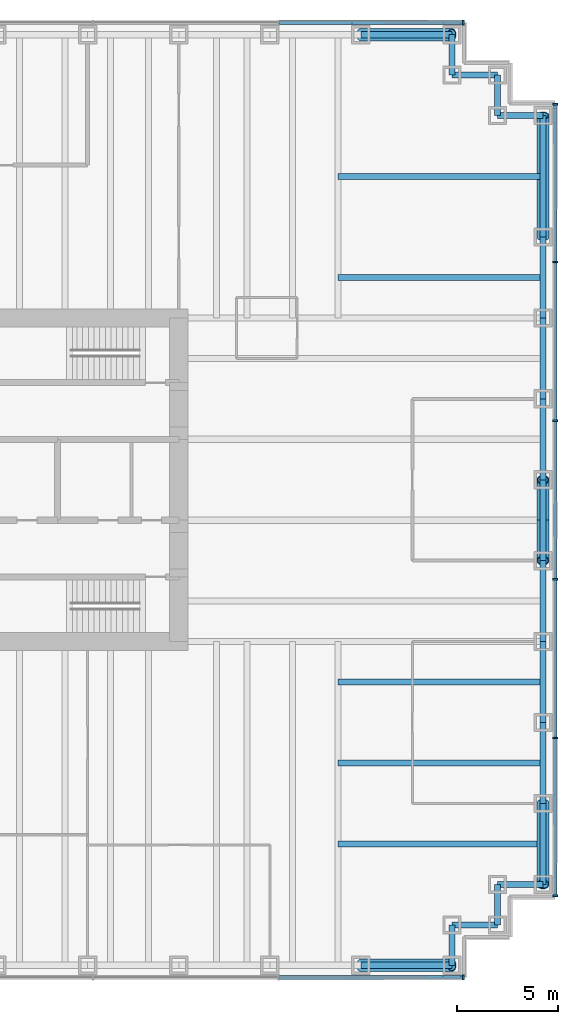
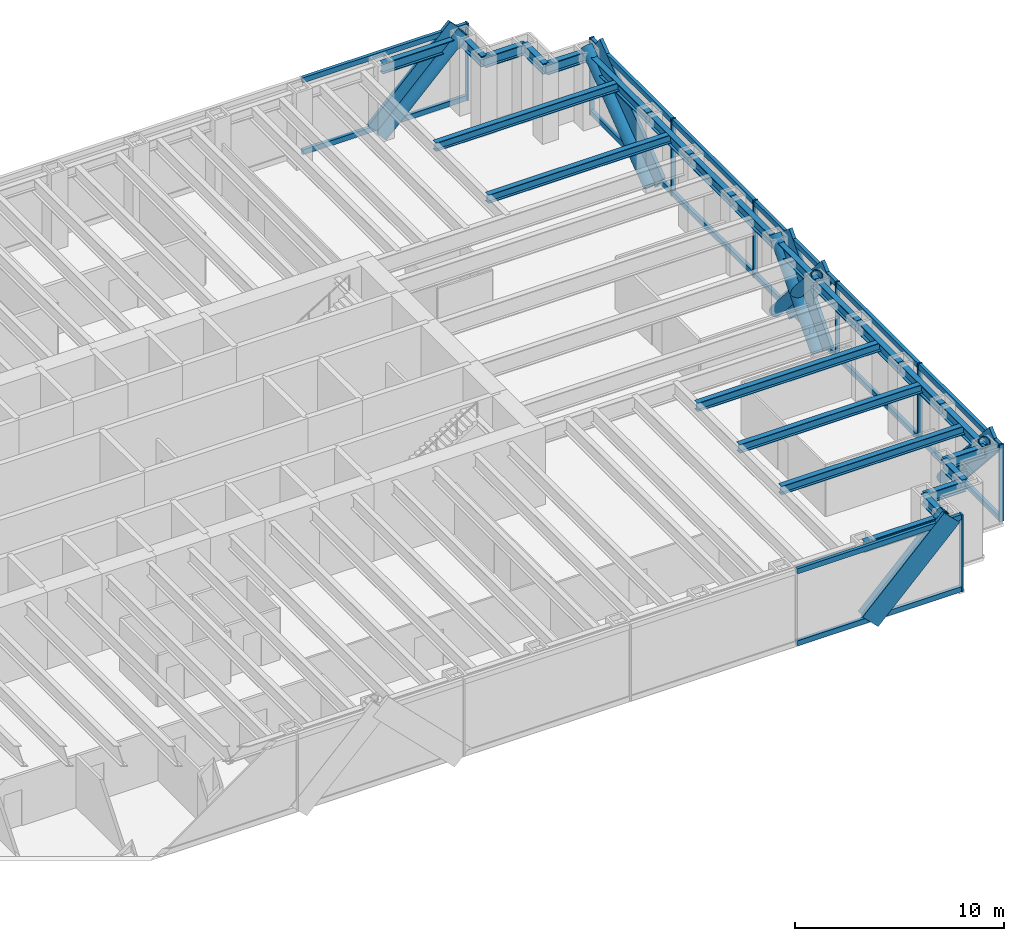
# One storey, part 7 of 13: 34 members, 24 beams, 3 elements without a shape of their own.
"""IFC4 building model written with IfcOpenShell, lengths in metres."""

import ifcopenshell
import ifcopenshell.guid

model = None  # the IFC model being written
_history = None  # IfcOwnerHistory: only IFC2X3 demands one
_inside = {}  # id of a spatial element -> (the spatial element, [elements in it])
_under = {}  # id of a project, library or spatial element -> (it, [spatial elements below it])
_declared = {}  # id of a project -> (the project, [libraries it declares])
_typed = {}  # id of a type object -> (the type object, [elements of that type])
_made_of = {}  # id of a material, layer set ... -> (it, [elements and type objects made of it])


def new_model(schema):
    """Start an empty IFC model of exactly this schema.

    Asked for "IFC4X3", IfcOpenShell would pick the latest addendum, in which some entities
    have other attributes; the version numbers below select the first issue.
    IFC2X3 requires an IfcOwnerHistory on every rooted entity: one is made here for all.
    """
    global model, _history
    if schema == "IFC4X3":
        model = ifcopenshell.file(schema_version=(4, 3, 0, 0))
    else:
        model = ifcopenshell.file(schema=schema)
    _inside.clear()
    _under.clear()
    _declared.clear()
    _typed.clear()
    _made_of.clear()
    _history = None
    if model.schema == "IFC2X3":
        org = make("IfcOrganization", Name="unknown")
        user = make(
            "IfcPersonAndOrganization",
            ThePerson=make("IfcPerson", FamilyName="unknown"),
            TheOrganization=org,
        )
        app = make(
            "IfcApplication",
            ApplicationDeveloper=org,
            Version="unknown",
            ApplicationFullName="unknown",
            ApplicationIdentifier="unknown",
        )
        _history = make(
            "IfcOwnerHistory",
            OwningUser=user,
            OwningApplication=app,
            ChangeAction="ADDED",
            CreationDate=0,
        )
    return model


def make(cls, **values):
    """One entity of the class cls with the attributes given. An attribute that is None is left unset."""
    return model.create_entity(
        cls, **{name: value for name, value in values.items() if value is not None}
    )


def rooted(cls, **values):
    """An entity with a GlobalId (a new one), such as an element, a storey or a relation."""
    return make(cls, GlobalId=ifcopenshell.guid.new(), OwnerHistory=_history, **values)


def si_unit(unit_type, name, prefix=None):
    """IfcSIUnit, for example si_unit("LENGTHUNIT", "METRE", prefix="MILLI")."""
    return make("IfcSIUnit", UnitType=unit_type, Prefix=prefix, Name=name)


def assignment(units):
    """IfcUnitAssignment: the units of a project."""
    return None if units is None else make("IfcUnitAssignment", Units=units)


def point(xyz):
    """IfcCartesianPoint."""
    return None if xyz is None else make("IfcCartesianPoint", Coordinates=xyz)


def direction(xyz):
    """IfcDirection."""
    return None if xyz is None else make("IfcDirection", DirectionRatios=xyz)


def frame(location, z_axis=None, x_axis=None):
    """IfcAxis2Placement3D, a coordinate frame: its origin and axes. An axis left out is left unset."""
    return make(
        "IfcAxis2Placement3D",
        Location=point(location),
        Axis=direction(z_axis),
        RefDirection=direction(x_axis),
    )


def frame_2d(location, x_axis=None):
    """IfcAxis2Placement2D, a coordinate frame in the plane: its origin and x axis."""
    return make(
        "IfcAxis2Placement2D", Location=point(location), RefDirection=direction(x_axis)
    )


def origin():
    """The frame at (0, 0, 0) with its axes left unset."""
    return frame((0.0, 0.0, 0.0))


def origin_2d():
    """The frame at (0, 0) in the plane with its x axis left unset."""
    return frame_2d((0.0, 0.0))


def place(relative_to, where):
    """IfcLocalPlacement: puts the frame where relative to a parent placement (None: the world)."""
    return make(
        "IfcLocalPlacement", PlacementRelTo=relative_to, RelativePlacement=where
    )


def context(
    kind, dimensions, precision=None, world=None, true_north=None, identifier=None
):
    """IfcGeometricRepresentationContext, for example the 3D "Model" context."""
    return make(
        "IfcGeometricRepresentationContext",
        ContextIdentifier=identifier,
        ContextType=kind,
        CoordinateSpaceDimension=dimensions,
        Precision=precision,
        WorldCoordinateSystem=world,
        TrueNorth=true_north,
    )


def subcontext(parent, identifier, kind, view, scale=None):
    """IfcGeometricRepresentationSubContext, for example "Body" below "Model"."""
    return make(
        "IfcGeometricRepresentationSubContext",
        ContextIdentifier=identifier,
        ContextType=kind,
        ParentContext=parent,
        TargetScale=scale,
        TargetView=view,
    )


def project(units=None, contexts=None):
    """IfcProject with its units and contexts."""
    return rooted(
        "IfcProject",
        Name="project",
        RepresentationContexts=contexts,
        UnitsInContext=assignment(units),
    )


def spatial(cls, under=None, at=None, **own):
    """A site, building, storey or space (cls), placed at a placement, below another one or the project."""
    s = rooted(cls, ObjectPlacement=at, **own)
    if under is not None:
        _under.setdefault(under.id(), (under, []))[1].append(s)
    return s


def profile(cls, at=None, kind="AREA", **sizes):
    """A parametric profile (cls). Its sizes go by their IFC names, for example OverallWidth=200.0."""
    return make(cls, ProfileType=kind, Position=at, **sizes)


def rectangle(**sizes):
    """IfcRectangleProfileDef."""
    return profile("IfcRectangleProfileDef", **sizes)


def hollow_circle(**sizes):
    """IfcCircleHollowProfileDef."""
    return profile("IfcCircleHollowProfileDef", **sizes)


def i_section(**sizes):
    """IfcIShapeProfileDef."""
    return profile("IfcIShapeProfileDef", **sizes)


def extrude(swept, where, along, depth):
    """IfcExtrudedAreaSolid: the profile swept, set in the frame where, extruded along a direction by depth."""
    return make(
        "IfcExtrudedAreaSolid",
        SweptArea=swept,
        Position=where,
        ExtrudedDirection=direction(along),
        Depth=depth,
    )


def shape(context_of_items, identifier, shape_type, items):
    """IfcShapeRepresentation: the items that make up one representation, for example the "Body"."""
    return make(
        "IfcShapeRepresentation",
        ContextOfItems=context_of_items,
        RepresentationIdentifier=identifier,
        RepresentationType=shape_type,
        Items=items,
    )


def material(Name=None, Category=None):
    """IfcMaterial."""
    return make("IfcMaterial", Name=Name, Category=Category)


def material_profile(
    of_material, cross_section, Name=None, Category=None, Priority=None
):
    """IfcMaterialProfile: a cross section and its material."""
    return make(
        "IfcMaterialProfile",
        Name=Name,
        Material=of_material,
        Profile=cross_section,
        Priority=Priority,
        Category=Category,
    )


def profile_set(profiles, Name=None, composite=None):
    """IfcMaterialProfileSet."""
    return make(
        "IfcMaterialProfileSet",
        Name=Name,
        MaterialProfiles=profiles,
        CompositeProfile=composite,
    )


def made_of(thing, what):
    """Note that an element or type object is made of a material, layer set ...; save() writes the relation."""
    if what is not None:
        _made_of.setdefault(what.id(), (what, []))[1].append(thing)
    return thing


def type_object(cls, material=None, **own):
    """A type object (cls), such as IfcWallType, which elements share."""
    return made_of(rooted(cls, **own), material)


def element(
    cls,
    number,
    at=None,
    inside=None,
    cuts=None,
    type_object=None,
    material=None,
    context=None,
    identifier="Body",
    shape_type=None,
    held_by="IfcProductDefinitionShape",
    body=None,
    shapes=None,
    **own,
):
    """One element of the class cls, such as IfcWall. Its Tag is "e" and its number.

    at: its placement. inside: the storey or other place that contains it. cuts: it is an
    opening in that element (IfcRelVoidsElement). A single representation is given by context,
    identifier, shape_type and body (its items); several are given by shapes. held_by: the class
    of the entity that holds the representations. save() writes the other relations.
    """
    e = rooted(cls, Tag="e%d" % number, ObjectPlacement=at, **own)
    if body is not None:
        shapes = [shape(context, identifier, shape_type, body)]
    if shapes is not None:
        e.Representation = make(held_by, Representations=shapes)
    if inside is not None:
        _inside.setdefault(inside.id(), (inside, []))[1].append(e)
    if cuts is not None:
        rooted(
            "IfcRelVoidsElement", RelatingBuildingElement=cuts, RelatedOpeningElement=e
        )
    if type_object is not None:
        _typed.setdefault(type_object.id(), (type_object, []))[1].append(e)
    return made_of(e, material)


def aggregate(whole, parts):
    """IfcRelAggregates: a whole, such as a stair, and the parts it consists of."""
    return rooted("IfcRelAggregates", RelatingObject=whole, RelatedObjects=parts)


def save(model, path):
    """Write the relations noted so far, then the file.

    IfcRelAggregates (storeys below a building ...), IfcRelContainedInSpatialStructure (elements
    in a storey), IfcRelDefinesByType, IfcRelAssociatesMaterial and IfcRelDeclares: one each for
    every whole, place, type object, material and project.
    """
    for whole, parts in _under.values():
        aggregate(whole, parts)
    for where, things in _inside.values():
        rooted(
            "IfcRelContainedInSpatialStructure",
            RelatedElements=things,
            RelatingStructure=where,
        )
    for kind, things in _typed.values():
        rooted("IfcRelDefinesByType", RelatedObjects=things, RelatingType=kind)
    for what, things in _made_of.values():
        rooted("IfcRelAssociatesMaterial", RelatedObjects=things, RelatingMaterial=what)
    for by, libraries in _declared.values():
        rooted("IfcRelDeclares", RelatingContext=by, RelatedDefinitions=libraries)
    model.write(path)


model = new_model("IFC4")

# Units and contexts
model_context = context("Model", 3, precision=1e-05, world=origin(), true_north=direction((0.0, 1.0)))
body_context = subcontext(model_context, "Body", "Model", "MODEL_VIEW")
ifc_project = project(units=[si_unit("LENGTHUNIT", "METRE"), si_unit("AREAUNIT", "SQUARE_METRE"), si_unit("VOLUMEUNIT", "CUBIC_METRE"), si_unit("PLANEANGLEUNIT", "RADIAN"), si_unit("MASSUNIT", "GRAM", prefix="KILO")], contexts=[model_context])

# Site, building, storey
site_placement = place(None, origin())
site = spatial("IfcSite", under=ifc_project, at=site_placement, CompositionType="ELEMENT")
building_placement = place(site_placement, origin())
building = spatial("IfcBuilding", under=site, at=building_placement, Name="Rheinbord Bourse Tower", CompositionType="ELEMENT")
storey_placement = place(building_placement, frame((0.0, 0.0, 59.0)))
storey = spatial("IfcBuildingStorey", under=building, at=storey_placement, Name="L12", CompositionType="ELEMENT", Elevation=59.0)

# Curtain wall, member
ifc_material_1 = material(Name="Dark glass and black aluminium", Category="aluminium")
curtain_wall_type = type_object("IfcCurtainWallType", Name="CW1 DARK GLASS CURTAIN WALL", PredefinedType="USERDEFINED", material=ifc_material_1)
curtain_wall_1_placement = place(storey_placement, origin())
curtain_wall_1 = element("IfcCurtainWall", 1, at=curtain_wall_1_placement, inside=storey, type_object=curtain_wall_type, Name="Curtain wall CW1 S L12", ObjectType="UNITISED CURTAIN WALL", PredefinedType="USERDEFINED")
ifc_material_2 = material(Name="Black anodised aluminium", Category="aluminium")
ifc_material_profile_1 = material_profile(ifc_material_2, rectangle(XDim=0.179931640625, YDim=1.2099609375, at=origin_2d()), Name="CW1 DIAGONAL MULLION 1210x180")
ifc_profile_set_1 = profile_set([ifc_material_profile_1], Name="Black anodised aluminium")
member_type_1 = type_object("IfcMemberType", Name="CW1 BLACK DIAGONAL MULLION", PredefinedType="USERDEFINED", material=ifc_profile_set_1)
member_1_placement = place(storey_placement, frame((63.0, -0.60009765625, 0.0), z_axis=(0.707106781187, 0.0, 0.707106781187), x_axis=(0.0, 1.0, 0.0)))
member_1 = element("IfcMember", 2, at=member_1_placement, type_object=member_type_1, Name="CW1 diagonal mullion a", ObjectType="DIAGONAL MULLION", PredefinedType="USERDEFINED", context=body_context, shape_type="SweptSolid", body=[
    extrude(rectangle(XDim=0.179931640625, YDim=1.2099609375, at=origin_2d()), origin(), (0.0, 0.0, 1.0), 6.364013671875),
])

# Curtain wall, members
curtain_wall_2_placement = place(storey_placement, origin())
curtain_wall_2 = element("IfcCurtainWall", 3, at=curtain_wall_2_placement, inside=storey, type_object=curtain_wall_type, Name="Curtain wall CW1 E L12", ObjectType="UNITISED CURTAIN WALL", PredefinedType="USERDEFINED")
member_2_placement = place(storey_placement, frame((72.60009765625, 24.0, 0.0), z_axis=(0.0, -0.66436383883, 0.747409318684), x_axis=(1.0, 0.0, 0.0)))
member_2 = element("IfcMember", 4, at=member_2_placement, type_object=member_type_1, Name="CW1 diagonal mullion a", ObjectType="DIAGONAL MULLION", PredefinedType="USERDEFINED", context=body_context, shape_type="SweptSolid", body=[
    extrude(rectangle(XDim=0.179931640625, YDim=1.2099609375, at=origin_2d()), origin(), (0.0, 0.0, 1.0), 6.020751953125),
])
member_3_placement = place(storey_placement, frame((72.60009765625, 20.0, 0.0), z_axis=(0.0, 0.66436383883, 0.747409318684), x_axis=(-1.0, 0.0, 0.0)))
member_3 = element("IfcMember", 5, at=member_3_placement, type_object=member_type_1, Name="CW1 diagonal mullion b", ObjectType="DIAGONAL MULLION", PredefinedType="USERDEFINED", context=body_context, shape_type="SweptSolid", body=[
    extrude(rectangle(XDim=0.179931640625, YDim=1.2099609375, at=origin_2d()), origin(), (0.0, 0.0, 1.0), 6.020751953125),
])
member_4_placement = place(storey_placement, frame((72.60009765625, 8.0, 0.0), z_axis=(0.0, -0.66436383883, 0.747409318684), x_axis=(1.0, 0.0, 0.0)))
member_4 = element("IfcMember", 6, at=member_4_placement, type_object=member_type_1, Name="CW1 diagonal mullion c", ObjectType="DIAGONAL MULLION", PredefinedType="USERDEFINED", context=body_context, shape_type="SweptSolid", body=[
    extrude(rectangle(XDim=0.179931640625, YDim=1.2099609375, at=origin_2d()), origin(), (0.0, 0.0, 1.0), 6.020751953125),
])
member_5_placement = place(storey_placement, frame((72.60009765625, 36.0, 0.0), z_axis=(0.0, 0.8, 0.6), x_axis=(-1.0, 0.0, 0.0)))
member_5 = element("IfcMember", 7, at=member_5_placement, type_object=member_type_1, Name="CW1 diagonal mullion d", ObjectType="DIAGONAL MULLION", PredefinedType="USERDEFINED", context=body_context, shape_type="SweptSolid", body=[
    extrude(rectangle(XDim=0.179931640625, YDim=1.2099609375, at=origin_2d()), origin(), (0.0, 0.0, 1.0), 7.5),
])

# Curtain wall, member
curtain_wall_3_placement = place(storey_placement, origin())
curtain_wall_3 = element("IfcCurtainWall", 8, at=curtain_wall_3_placement, inside=storey, type_object=curtain_wall_type, Name="Curtain wall CW1 N L12", ObjectType="UNITISED CURTAIN WALL", PredefinedType="USERDEFINED")
member_6_placement = place(storey_placement, frame((63.0, 46.60009765625, 0.0), z_axis=(0.707106781187, 0.0, 0.707106781187), x_axis=(0.0, 1.0, 0.0)))
member_6 = element("IfcMember", 9, at=member_6_placement, type_object=member_type_1, Name="CW1 diagonal mullion a", ObjectType="DIAGONAL MULLION", PredefinedType="USERDEFINED", context=body_context, shape_type="SweptSolid", body=[
    extrude(rectangle(XDim=0.179931640625, YDim=1.2099609375, at=origin_2d()), origin(), (0.0, 0.0, 1.0), 6.364013671875),
])

# Member
ifc_material_3 = material(Name="Black anodised aluminium", Category="aluminium")
ifc_material_profile_2 = material_profile(ifc_material_3, rectangle(XDim=0.25, YDim=0.080078125, at=origin_2d()), Name="CW1 MULLION 80x250")
ifc_profile_set_2 = profile_set([ifc_material_profile_2], Name="Black anodised aluminium")
member_type_2 = type_object("IfcMemberType", Name="CW1 BLACK MULLION", PredefinedType="MULLION", material=ifc_profile_set_2)
member_7_placement = place(storey_placement, frame((68.06005859375, -0.60009765625, 0.0), z_axis=(0.0, 0.0, 1.0), x_axis=(0.0, 1.0, 0.0)))
member_7 = element("IfcMember", 10, at=member_7_placement, type_object=member_type_2, Name="CW1 mullion 8", PredefinedType="MULLION", context=body_context, shape_type="SweptSolid", body=[
    extrude(rectangle(XDim=0.25, YDim=0.080078125, at=origin_2d()), origin(), (0.0, 0.0, 1.0), 4.5),
])

member_8_placement = place(storey_placement, frame((72.60009765625, 3.43994140625, 0.0), z_axis=(0.0, 0.0, 1.0), x_axis=(-1.0, 0.0, 0.0)))
member_8 = element("IfcMember", 11, at=member_8_placement, type_object=member_type_2, Name="CW1 mullion 1", PredefinedType="MULLION", context=body_context, shape_type="SweptSolid", body=[
    extrude(rectangle(XDim=0.25, YDim=0.080078125, at=origin_2d()), origin(), (0.0, 0.0, 1.0), 4.5),
])

member_9_placement = place(storey_placement, frame((72.60009765625, 11.239990234375, 0.0), z_axis=(0.0, 0.0, 1.0), x_axis=(-1.0, 0.0, 0.0)))
member_9 = element("IfcMember", 12, at=member_9_placement, type_object=member_type_2, Name="CW1 mullion 2", PredefinedType="MULLION", context=body_context, shape_type="SweptSolid", body=[
    extrude(rectangle(XDim=0.25, YDim=0.080078125, at=origin_2d()), origin(), (0.0, 0.0, 1.0), 4.5),
])

member_10_placement = place(storey_placement, frame((72.60009765625, 19.080078125, 0.0), z_axis=(0.0, 0.0, 1.0), x_axis=(-1.0, 0.0, 0.0)))
member_10 = element("IfcMember", 13, at=member_10_placement, type_object=member_type_2, Name="CW1 mullion 3", PredefinedType="MULLION", context=body_context, shape_type="SweptSolid", body=[
    extrude(rectangle(XDim=0.25, YDim=0.080078125, at=origin_2d()), origin(), (0.0, 0.0, 1.0), 4.5),
])

member_11_placement = place(storey_placement, frame((72.60009765625, 26.919921875, 0.0), z_axis=(0.0, 0.0, 1.0), x_axis=(-1.0, 0.0, 0.0)))
member_11 = element("IfcMember", 14, at=member_11_placement, type_object=member_type_2, Name="CW1 mullion 4", PredefinedType="MULLION", context=body_context, shape_type="SweptSolid", body=[
    extrude(rectangle(XDim=0.25, YDim=0.080078125, at=origin_2d()), origin(), (0.0, 0.0, 1.0), 4.5),
])

member_12_placement = place(storey_placement, frame((72.60009765625, 34.760009765625, 0.0), z_axis=(0.0, 0.0, 1.0), x_axis=(-1.0, 0.0, 0.0)))
member_12 = element("IfcMember", 15, at=member_12_placement, type_object=member_type_2, Name="CW1 mullion 5", PredefinedType="MULLION", context=body_context, shape_type="SweptSolid", body=[
    extrude(rectangle(XDim=0.25, YDim=0.080078125, at=origin_2d()), origin(), (0.0, 0.0, 1.0), 4.5),
])

member_13_placement = place(storey_placement, frame((72.60009765625, 42.56005859375, 0.0), z_axis=(0.0, 0.0, 1.0), x_axis=(-1.0, 0.0, 0.0)))
member_13 = element("IfcMember", 16, at=member_13_placement, type_object=member_type_2, Name="CW1 mullion 6", PredefinedType="MULLION", context=body_context, shape_type="SweptSolid", body=[
    extrude(rectangle(XDim=0.25, YDim=0.080078125, at=origin_2d()), origin(), (0.0, 0.0, 1.0), 4.5),
])

member_14_placement = place(storey_placement, frame((68.06005859375, 46.60009765625, 0.0), z_axis=(0.0, 0.0, 1.0), x_axis=(0.0, -1.0, 0.0)))
member_14 = element("IfcMember", 17, at=member_14_placement, type_object=member_type_2, Name="CW1 mullion 1", PredefinedType="MULLION", context=body_context, shape_type="SweptSolid", body=[
    extrude(rectangle(XDim=0.25, YDim=0.080078125, at=origin_2d()), origin(), (0.0, 0.0, 1.0), 4.5),
])

ifc_material_4 = material(Name="Black anodised aluminium", Category="aluminium")
ifc_material_profile_3 = material_profile(ifc_material_4, rectangle(XDim=0.179931640625, YDim=0.300048828125, at=origin_2d()), Name="CW1 TRANSOM 300x180")
ifc_profile_set_3 = profile_set([ifc_material_profile_3], Name="Black anodised aluminium")
member_type_3 = type_object("IfcMemberType", Name="CW1 BLACK TRANSOM", PredefinedType="USERDEFINED", material=ifc_profile_set_3)
member_15_placement = place(storey_placement, frame((58.968505859375, -0.60009765625, 0.14990234375), z_axis=(1.0, 0.0, 0.0), x_axis=(0.0, 1.0, 0.0)))
member_15 = element("IfcMember", 18, at=member_15_placement, type_object=member_type_3, Name="CW1 transom 7.1", ObjectType="TRANSOM", PredefinedType="USERDEFINED", context=body_context, shape_type="SweptSolid", body=[
    extrude(rectangle(XDim=0.179931640625, YDim=0.300048828125, at=origin_2d()), origin(), (0.0, 0.0, 1.0), 9.051513671875),
])

member_16_placement = place(storey_placement, frame((58.968505859375, -0.60009765625, 4.35009765625), z_axis=(1.0, 0.0, 0.0), x_axis=(0.0, 1.0, 0.0)))
member_16 = element("IfcMember", 19, at=member_16_placement, type_object=member_type_3, Name="CW1 transom 7.2", ObjectType="TRANSOM", PredefinedType="USERDEFINED", context=body_context, shape_type="SweptSolid", body=[
    extrude(rectangle(XDim=0.179931640625, YDim=0.300048828125, at=origin_2d()), origin(), (0.0, 0.0, 1.0), 9.051513671875),
])

aggregate(curtain_wall_1, [member_7, member_15, member_16, member_1])

member_17_placement = place(storey_placement, frame((72.60009765625, 3.47998046875, 0.14990234375), z_axis=(0.0, 1.0, 0.0), x_axis=(-1.0, 0.0, 0.0)))
member_17 = element("IfcMember", 20, at=member_17_placement, type_object=member_type_3, Name="CW1 transom 1.1", ObjectType="TRANSOM", PredefinedType="USERDEFINED", context=body_context, shape_type="SweptSolid", body=[
    extrude(rectangle(XDim=0.179931640625, YDim=0.300048828125, at=origin_2d()), origin(), (0.0, 0.0, 1.0), 7.719970703125),
])

member_18_placement = place(storey_placement, frame((72.60009765625, 3.47998046875, 4.35009765625), z_axis=(0.0, 1.0, 0.0), x_axis=(-1.0, 0.0, 0.0)))
member_18 = element("IfcMember", 21, at=member_18_placement, type_object=member_type_3, Name="CW1 transom 1.2", ObjectType="TRANSOM", PredefinedType="USERDEFINED", context=body_context, shape_type="SweptSolid", body=[
    extrude(rectangle(XDim=0.179931640625, YDim=0.300048828125, at=origin_2d()), origin(), (0.0, 0.0, 1.0), 7.719970703125),
])

member_19_placement = place(storey_placement, frame((72.60009765625, 11.280029296875, 0.14990234375), z_axis=(0.0, 1.0, 0.0), x_axis=(-1.0, 0.0, 0.0)))
member_19 = element("IfcMember", 22, at=member_19_placement, type_object=member_type_3, Name="CW1 transom 2.1", ObjectType="TRANSOM", PredefinedType="USERDEFINED", context=body_context, shape_type="SweptSolid", body=[
    extrude(rectangle(XDim=0.179931640625, YDim=0.300048828125, at=origin_2d()), origin(), (0.0, 0.0, 1.0), 7.760009765625),
])

member_20_placement = place(storey_placement, frame((72.60009765625, 11.280029296875, 4.35009765625), z_axis=(0.0, 1.0, 0.0), x_axis=(-1.0, 0.0, 0.0)))
member_20 = element("IfcMember", 23, at=member_20_placement, type_object=member_type_3, Name="CW1 transom 2.2", ObjectType="TRANSOM", PredefinedType="USERDEFINED", context=body_context, shape_type="SweptSolid", body=[
    extrude(rectangle(XDim=0.179931640625, YDim=0.300048828125, at=origin_2d()), origin(), (0.0, 0.0, 1.0), 7.760009765625),
])

member_21_placement = place(storey_placement, frame((72.60009765625, 19.1201171875, 0.14990234375), z_axis=(0.0, 1.0, 0.0), x_axis=(-1.0, 0.0, 0.0)))
member_21 = element("IfcMember", 24, at=member_21_placement, type_object=member_type_3, Name="CW1 transom 3.1", ObjectType="TRANSOM", PredefinedType="USERDEFINED", context=body_context, shape_type="SweptSolid", body=[
    extrude(rectangle(XDim=0.179931640625, YDim=0.300048828125, at=origin_2d()), origin(), (0.0, 0.0, 1.0), 7.759765625),
])

member_22_placement = place(storey_placement, frame((72.60009765625, 19.1201171875, 4.35009765625), z_axis=(0.0, 1.0, 0.0), x_axis=(-1.0, 0.0, 0.0)))
member_22 = element("IfcMember", 25, at=member_22_placement, type_object=member_type_3, Name="CW1 transom 3.2", ObjectType="TRANSOM", PredefinedType="USERDEFINED", context=body_context, shape_type="SweptSolid", body=[
    extrude(rectangle(XDim=0.179931640625, YDim=0.300048828125, at=origin_2d()), origin(), (0.0, 0.0, 1.0), 7.759765625),
])

member_23_placement = place(storey_placement, frame((72.60009765625, 26.9599609375, 0.14990234375), z_axis=(0.0, 1.0, 0.0), x_axis=(-1.0, 0.0, 0.0)))
member_23 = element("IfcMember", 26, at=member_23_placement, type_object=member_type_3, Name="CW1 transom 4.1", ObjectType="TRANSOM", PredefinedType="USERDEFINED", context=body_context, shape_type="SweptSolid", body=[
    extrude(rectangle(XDim=0.179931640625, YDim=0.300048828125, at=origin_2d()), origin(), (0.0, 0.0, 1.0), 7.760009765625),
])

member_24_placement = place(storey_placement, frame((72.60009765625, 26.9599609375, 4.35009765625), z_axis=(0.0, 1.0, 0.0), x_axis=(-1.0, 0.0, 0.0)))
member_24 = element("IfcMember", 27, at=member_24_placement, type_object=member_type_3, Name="CW1 transom 4.2", ObjectType="TRANSOM", PredefinedType="USERDEFINED", context=body_context, shape_type="SweptSolid", body=[
    extrude(rectangle(XDim=0.179931640625, YDim=0.300048828125, at=origin_2d()), origin(), (0.0, 0.0, 1.0), 7.760009765625),
])

member_25_placement = place(storey_placement, frame((72.60009765625, 34.800048828125, 0.14990234375), z_axis=(0.0, 1.0, 0.0), x_axis=(-1.0, 0.0, 0.0)))
member_25 = element("IfcMember", 28, at=member_25_placement, type_object=member_type_3, Name="CW1 transom 5.1", ObjectType="TRANSOM", PredefinedType="USERDEFINED", context=body_context, shape_type="SweptSolid", body=[
    extrude(rectangle(XDim=0.179931640625, YDim=0.300048828125, at=origin_2d()), origin(), (0.0, 0.0, 1.0), 7.719970703125),
])

member_26_placement = place(storey_placement, frame((72.60009765625, 34.800048828125, 4.35009765625), z_axis=(0.0, 1.0, 0.0), x_axis=(-1.0, 0.0, 0.0)))
member_26 = element("IfcMember", 29, at=member_26_placement, type_object=member_type_3, Name="CW1 transom 5.2", ObjectType="TRANSOM", PredefinedType="USERDEFINED", context=body_context, shape_type="SweptSolid", body=[
    extrude(rectangle(XDim=0.179931640625, YDim=0.300048828125, at=origin_2d()), origin(), (0.0, 0.0, 1.0), 7.719970703125),
])

aggregate(curtain_wall_2, [member_8, member_9, member_10, member_11, member_12, member_13, member_17, member_18, member_19, member_20, member_21, member_22, member_23, member_24, member_25, member_26, member_2, member_3, member_4, member_5])

member_27_placement = place(storey_placement, frame((68.02001953125, 46.60009765625, 0.14990234375), z_axis=(-1.0, 0.0, 0.0), x_axis=(0.0, -1.0, 0.0)))
member_27 = element("IfcMember", 30, at=member_27_placement, type_object=member_type_3, Name="CW1 transom 1.1", ObjectType="TRANSOM", PredefinedType="USERDEFINED", context=body_context, shape_type="SweptSolid", body=[
    extrude(rectangle(XDim=0.179931640625, YDim=0.300048828125, at=origin_2d()), origin(), (0.0, 0.0, 1.0), 9.051513671875),
])

member_28_placement = place(storey_placement, frame((68.02001953125, 46.60009765625, 4.35009765625), z_axis=(-1.0, 0.0, 0.0), x_axis=(0.0, -1.0, 0.0)))
member_28 = element("IfcMember", 31, at=member_28_placement, type_object=member_type_3, Name="CW1 transom 1.2", ObjectType="TRANSOM", PredefinedType="USERDEFINED", context=body_context, shape_type="SweptSolid", body=[
    extrude(rectangle(XDim=0.179931640625, YDim=0.300048828125, at=origin_2d()), origin(), (0.0, 0.0, 1.0), 9.051513671875),
])

aggregate(curtain_wall_3, [member_14, member_27, member_28, member_6])

# Members
ifc_material_5 = material(Name="Steel S460", Category="steel")
ifc_material_profile_4 = material_profile(ifc_material_5, hollow_circle(Radius=0.304931640625, WallThickness=0.050048828125, at=origin_2d()), Name="CHS 610x50")
ifc_profile_set_4 = profile_set([ifc_material_profile_4], Name="Steel S460")
member_type_4 = type_object("IfcMemberType", Name="MEGABRACE CHS 610x50", PredefinedType="BRACE", material=ifc_profile_set_4)
member_29_placement = place(storey_placement, frame((63.0, 0.0, 0.0), z_axis=(0.707106781187, 0.0, 0.707106781187), x_axis=(0.0, 1.0, 0.0)))
element("IfcMember", 32, at=member_29_placement, inside=storey, type_object=member_type_4, Name="Megabrace S face line a L12", PredefinedType="BRACE", context=body_context, shape_type="SweptSolid", body=[
    extrude(hollow_circle(Radius=0.304931640625, WallThickness=0.050048828125, at=origin_2d()), origin(), (0.0, 0.0, 1.0), 6.364013671875),
])
for number, where, z_axis, x_axis, name in (
    (33, (72.0, 24.0, 0.0), (0.0, -0.66436383883, 0.747409318684), (1.0, 0.0, 0.0), "Megabrace E face line a L12"),
    (34, (72.0, 20.0, 0.0), (0.0, 0.66436383883, 0.747409318684), (-1.0, 0.0, 0.0), "Megabrace E face line b L12"),
    (35, (72.0, 8.0, 0.0), (0.0, -0.66436383883, 0.747409318684), (1.0, 0.0, 0.0), "Megabrace E face line c L12"),
):
    element("IfcMember", number, at=place(storey_placement, frame(where, z_axis=z_axis, x_axis=x_axis)), inside=storey, type_object=member_type_4, Name=name, PredefinedType="BRACE", context=body_context, shape_type="SweptSolid", body=[
        extrude(hollow_circle(Radius=0.304931640625, WallThickness=0.050048828125, at=origin_2d()), origin(), (0.0, 0.0, 1.0), 6.020751953125),
    ])
member_30_placement = place(storey_placement, frame((72.0, 36.0, 0.0), z_axis=(0.0, 0.8, 0.6), x_axis=(-1.0, 0.0, 0.0)))
element("IfcMember", 36, at=member_30_placement, inside=storey, type_object=member_type_4, Name="Megabrace E face line d L12", PredefinedType="BRACE", context=body_context, shape_type="SweptSolid", body=[
    extrude(hollow_circle(Radius=0.304931640625, WallThickness=0.050048828125, at=origin_2d()), origin(), (0.0, 0.0, 1.0), 7.5),
])
member_31_placement = place(storey_placement, frame((63.0, 46.0, 0.0), z_axis=(0.707106781187, 0.0, 0.707106781187), x_axis=(0.0, 1.0, 0.0)))
element("IfcMember", 37, at=member_31_placement, inside=storey, type_object=member_type_4, Name="Megabrace N face line a L12", PredefinedType="BRACE", context=body_context, shape_type="SweptSolid", body=[
    extrude(hollow_circle(Radius=0.304931640625, WallThickness=0.050048828125, at=origin_2d()), origin(), (0.0, 0.0, 1.0), 6.364013671875),
])

# Beams
ifc_material_6 = material(Name="Steel S460", Category="steel")
ifc_material_profile_5 = material_profile(ifc_material_6, i_section(OverallWidth=0.304931640625, OverallDepth=0.6201171875, WebThickness=0.02099609375, FlangeThickness=0.0400390625, at=origin_2d()), Name="HEM 600")
ifc_profile_set_5 = profile_set([ifc_material_profile_5], Name="Steel S460")
beam_type_1 = type_object("IfcBeamType", Name="SPANDREL HEM 600", PredefinedType="SPANDREL", material=ifc_profile_set_5)
beam_1_placement = place(storey_placement, frame((63.0, 0.0, 4.010009765625), z_axis=(1.0, 0.0, 0.0), x_axis=(0.0, 1.0, 0.0)))
element("IfcBeam", 38, at=beam_1_placement, inside=storey, type_object=beam_type_1, Name="Spandrel S-63-SE-E under L13", PredefinedType="SPANDREL", context=body_context, shape_type="SweptSolid", body=[
    extrude(i_section(OverallWidth=0.304931640625, OverallDepth=0.6201171875, WebThickness=0.02099609375, FlangeThickness=0.0400390625, at=origin_2d()), origin(), (0.0, 0.0, 1.0), 4.5),
])
beam_2_placement = place(storey_placement, frame((67.5, 0.0, 4.010009765625), z_axis=(0.0, 1.0, 0.0), x_axis=(-1.0, 0.0, 0.0)))
element("IfcBeam", 39, at=beam_2_placement, inside=storey, type_object=beam_type_1, Name="Spandrel SE-E-SE-D under L13", PredefinedType="SPANDREL", context=body_context, shape_type="SweptSolid", body=[
    extrude(i_section(OverallWidth=0.304931640625, OverallDepth=0.6201171875, WebThickness=0.02099609375, FlangeThickness=0.0400390625, at=origin_2d()), origin(), (0.0, 0.0, 1.0), 2.0),
])
beam_3_placement = place(storey_placement, frame((67.5, 2.0, 4.010009765625), z_axis=(1.0, 0.0, 0.0), x_axis=(0.0, 1.0, 0.0)))
element("IfcBeam", 40, at=beam_3_placement, inside=storey, type_object=beam_type_1, Name="Spandrel SE-D-SE-C under L13", PredefinedType="SPANDREL", context=body_context, shape_type="SweptSolid", body=[
    extrude(i_section(OverallWidth=0.304931640625, OverallDepth=0.6201171875, WebThickness=0.02099609375, FlangeThickness=0.0400390625, at=origin_2d()), origin(), (0.0, 0.0, 1.0), 2.25),
])
beam_4_placement = place(storey_placement, frame((69.75, 2.0, 4.010009765625), z_axis=(0.0, 1.0, 0.0), x_axis=(-1.0, 0.0, 0.0)))
element("IfcBeam", 41, at=beam_4_placement, inside=storey, type_object=beam_type_1, Name="Spandrel SE-C-SE-B under L13", PredefinedType="SPANDREL", context=body_context, shape_type="SweptSolid", body=[
    extrude(i_section(OverallWidth=0.304931640625, OverallDepth=0.6201171875, WebThickness=0.02099609375, FlangeThickness=0.0400390625, at=origin_2d()), origin(), (0.0, 0.0, 1.0), 2.0),
])
beam_5_placement = place(storey_placement, frame((69.75, 4.0, 4.010009765625), z_axis=(1.0, 0.0, 0.0), x_axis=(0.0, 1.0, 0.0)))
element("IfcBeam", 42, at=beam_5_placement, inside=storey, type_object=beam_type_1, Name="Spandrel SE-B-SE-A under L13", PredefinedType="SPANDREL", context=body_context, shape_type="SweptSolid", body=[
    extrude(i_section(OverallWidth=0.304931640625, OverallDepth=0.6201171875, WebThickness=0.02099609375, FlangeThickness=0.0400390625, at=origin_2d()), origin(), (0.0, 0.0, 1.0), 2.25),
])
for number, where, z_axis, x_axis, name in (
    (43, (72.0, 4.0, 4.010009765625), (0.0, 1.0, 0.0), (-1.0, 0.0, 0.0), "Spandrel SE-A-E-8 under L13"),
    (44, (72.0, 8.0, 4.010009765625), (0.0, 1.0, 0.0), (-1.0, 0.0, 0.0), "Spandrel E-8-E-12 under L13"),
    (45, (72.0, 12.0, 4.010009765625), (0.0, 1.0, 0.0), (-1.0, 0.0, 0.0), "Spandrel E-12-E-16 under L13"),
    (46, (72.0, 16.0, 4.010009765625), (0.0, 1.0, 0.0), (-1.0, 0.0, 0.0), "Spandrel E-16-E-20 under L13"),
    (47, (72.0, 20.0, 4.010009765625), (0.0, 1.0, 0.0), (-1.0, 0.0, 0.0), "Spandrel E-20-E-24 under L13"),
    (48, (72.0, 24.0, 4.010009765625), (0.0, 1.0, 0.0), (-1.0, 0.0, 0.0), "Spandrel E-24-E-28 under L13"),
    (49, (72.0, 28.0, 4.010009765625), (0.0, 1.0, 0.0), (-1.0, 0.0, 0.0), "Spandrel E-28-E-32 under L13"),
    (50, (72.0, 32.0, 4.010009765625), (0.0, 1.0, 0.0), (-1.0, 0.0, 0.0), "Spandrel E-32-E-36 under L13"),
):
    element("IfcBeam", number, at=place(storey_placement, frame(where, z_axis=z_axis, x_axis=x_axis)), inside=storey, type_object=beam_type_1, Name=name, PredefinedType="SPANDREL", context=body_context, shape_type="SweptSolid", body=[
        extrude(i_section(OverallWidth=0.304931640625, OverallDepth=0.6201171875, WebThickness=0.02099609375, FlangeThickness=0.0400390625, at=origin_2d()), origin(), (0.0, 0.0, 1.0), 4.0),
    ])
beam_6_placement = place(storey_placement, frame((72.0, 36.0, 4.010009765625), z_axis=(0.0, 1.0, 0.0), x_axis=(-1.0, 0.0, 0.0)))
element("IfcBeam", 51, at=beam_6_placement, inside=storey, type_object=beam_type_1, Name="Spandrel E-36-NE-A under L13", PredefinedType="SPANDREL", context=body_context, shape_type="SweptSolid", body=[
    extrude(i_section(OverallWidth=0.304931640625, OverallDepth=0.6201171875, WebThickness=0.02099609375, FlangeThickness=0.0400390625, at=origin_2d()), origin(), (0.0, 0.0, 1.0), 6.0),
])
beam_7_placement = place(storey_placement, frame((72.0, 42.0, 4.010009765625), z_axis=(-1.0, 0.0, 0.0), x_axis=(0.0, -1.0, 0.0)))
element("IfcBeam", 52, at=beam_7_placement, inside=storey, type_object=beam_type_1, Name="Spandrel NE-A-NE-B under L13", PredefinedType="SPANDREL", context=body_context, shape_type="SweptSolid", body=[
    extrude(i_section(OverallWidth=0.304931640625, OverallDepth=0.6201171875, WebThickness=0.02099609375, FlangeThickness=0.0400390625, at=origin_2d()), origin(), (0.0, 0.0, 1.0), 2.25),
])
beam_8_placement = place(storey_placement, frame((69.75, 42.0, 4.010009765625), z_axis=(0.0, 1.0, 0.0), x_axis=(-1.0, 0.0, 0.0)))
element("IfcBeam", 53, at=beam_8_placement, inside=storey, type_object=beam_type_1, Name="Spandrel NE-B-NE-C under L13", PredefinedType="SPANDREL", context=body_context, shape_type="SweptSolid", body=[
    extrude(i_section(OverallWidth=0.304931640625, OverallDepth=0.6201171875, WebThickness=0.02099609375, FlangeThickness=0.0400390625, at=origin_2d()), origin(), (0.0, 0.0, 1.0), 2.0),
])
beam_9_placement = place(storey_placement, frame((69.75, 44.0, 4.010009765625), z_axis=(-1.0, 0.0, 0.0), x_axis=(0.0, -1.0, 0.0)))
element("IfcBeam", 54, at=beam_9_placement, inside=storey, type_object=beam_type_1, Name="Spandrel NE-C-NE-D under L13", PredefinedType="SPANDREL", context=body_context, shape_type="SweptSolid", body=[
    extrude(i_section(OverallWidth=0.304931640625, OverallDepth=0.6201171875, WebThickness=0.02099609375, FlangeThickness=0.0400390625, at=origin_2d()), origin(), (0.0, 0.0, 1.0), 2.25),
])
beam_10_placement = place(storey_placement, frame((67.5, 44.0, 4.010009765625), z_axis=(0.0, 1.0, 0.0), x_axis=(-1.0, 0.0, 0.0)))
element("IfcBeam", 55, at=beam_10_placement, inside=storey, type_object=beam_type_1, Name="Spandrel NE-D-NE-E under L13", PredefinedType="SPANDREL", context=body_context, shape_type="SweptSolid", body=[
    extrude(i_section(OverallWidth=0.304931640625, OverallDepth=0.6201171875, WebThickness=0.02099609375, FlangeThickness=0.0400390625, at=origin_2d()), origin(), (0.0, 0.0, 1.0), 2.0),
])
beam_11_placement = place(storey_placement, frame((67.5, 46.0, 4.010009765625), z_axis=(-1.0, 0.0, 0.0), x_axis=(0.0, -1.0, 0.0)))
element("IfcBeam", 56, at=beam_11_placement, inside=storey, type_object=beam_type_1, Name="Spandrel NE-E-N-63 under L13", PredefinedType="SPANDREL", context=body_context, shape_type="SweptSolid", body=[
    extrude(i_section(OverallWidth=0.304931640625, OverallDepth=0.6201171875, WebThickness=0.02099609375, FlangeThickness=0.0400390625, at=origin_2d()), origin(), (0.0, 0.0, 1.0), 4.5),
])
ifc_material_7 = material(Name="Steel S460", Category="steel")
ifc_material_profile_6 = material_profile(ifc_material_7, i_section(OverallWidth=0.300048828125, OverallDepth=0.5, WebThickness=0.014404296875, FlangeThickness=0.028076171875, at=origin_2d()), Name="HEB 500")
ifc_profile_set_6 = profile_set([ifc_material_profile_6], Name="Steel S460")
beam_type_2 = type_object("IfcBeamType", Name="TIE BEAM HEB 500", PredefinedType="JOIST", material=ifc_profile_set_6)
for number, where, z_axis, x_axis, name in (
    (57, (61.875, 6.0, 4.070068359375), (1.0, 0.0, 0.0), (0.0, 1.0, 0.0), "Tie east 6 L13"),
    (58, (61.875, 10.0, 4.070068359375), (1.0, 0.0, 0.0), (0.0, 1.0, 0.0), "Tie east 10 L13"),
    (59, (61.875, 14.0, 4.070068359375), (1.0, 0.0, 0.0), (0.0, 1.0, 0.0), "Tie east 14 L13"),
    (60, (61.875, 34.0, 4.070068359375), (1.0, 0.0, 0.0), (0.0, 1.0, 0.0), "Tie east 34 L13"),
    (61, (61.875, 39.0, 4.070068359375), (1.0, 0.0, 0.0), (0.0, 1.0, 0.0), "Tie east 39 L13"),
):
    element("IfcBeam", number, at=place(storey_placement, frame(where, z_axis=z_axis, x_axis=x_axis)), inside=storey, type_object=beam_type_2, Name=name, PredefinedType="JOIST", context=body_context, shape_type="SweptSolid", body=[
        extrude(i_section(OverallWidth=0.300048828125, OverallDepth=0.5, WebThickness=0.014404296875, FlangeThickness=0.028076171875, at=origin_2d()), origin(), (0.0, 0.0, 1.0), 10.125),
    ])

save(model, "model.ifc")
